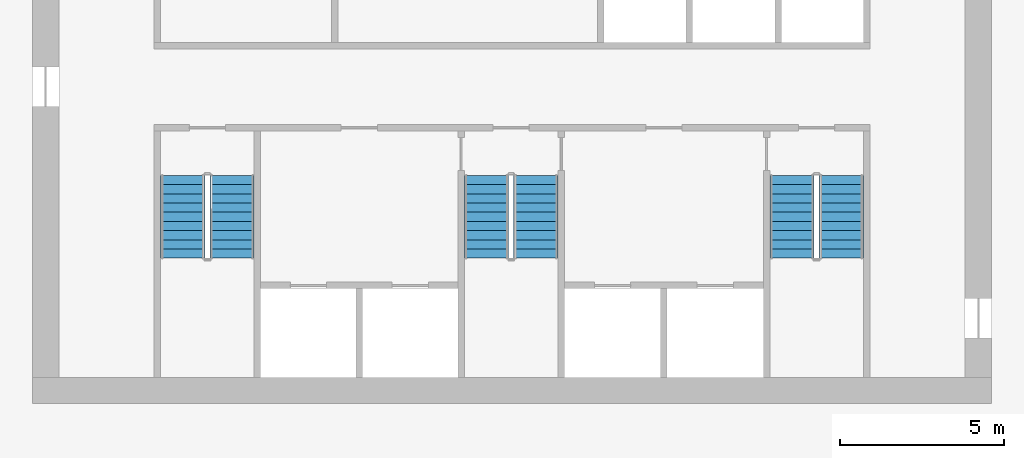
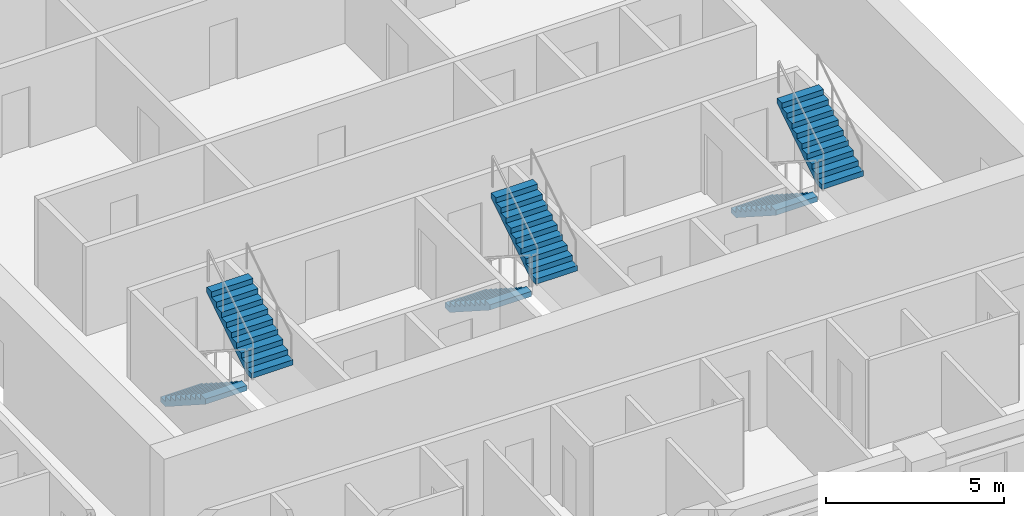
# One storey, part 12 of 16: 6 stair flights, 3 elements without a shape of their own.
"""IFC4 building model written with IfcOpenShell, lengths in metres."""

from ifc_helpers import new_model, si_unit, direction, frame, origin, place, context, subcontext, project, spatial, polyline, outline, extrude, material, type_object, element, aggregate, save


model = new_model("IFC4")

# Units and contexts
model_context = context("Model", 3, precision=1e-05, world=origin(), true_north=direction((0.0, 1.0)))
body_context = subcontext(model_context, "Body", "Model", "MODEL_VIEW")
ifc_project = project(units=[si_unit("LENGTHUNIT", "METRE"), si_unit("AREAUNIT", "SQUARE_METRE"), si_unit("VOLUMEUNIT", "CUBIC_METRE"), si_unit("PLANEANGLEUNIT", "RADIAN"), si_unit("MASSUNIT", "GRAM", prefix="KILO")], contexts=[model_context])

# Site, building, storey
site_placement = place(None, origin())
site = spatial("IfcSite", under=ifc_project, at=site_placement, CompositionType="ELEMENT")
building_placement = place(site_placement, origin())
building = spatial("IfcBuilding", under=site, at=building_placement, Name="Mangrove Gate Tower", CompositionType="ELEMENT")
storey_placement = place(building_placement, frame((0.0, 0.0, 212.300048828125)))
storey = spatial("IfcBuildingStorey", under=building, at=storey_placement, Name="L54", CompositionType="ELEMENT", Elevation=212.300048828125)

# Stair, stair flights
ifc_material_1 = material(Name="Concrete C40/50", Category="concrete")
stair_type = type_object("IfcStairType", Name="Core stair 1350", PredefinedType="HALF_TURN_STAIR", material=ifc_material_1)
stair_1_placement = place(storey_placement, origin())
stair_1 = element("IfcStair", 1, at=stair_1_placement, inside=storey, type_object=stair_type, Name="L54 Stair 1", PredefinedType="HALF_TURN_STAIR")
ifc_material_2 = material(Name="Concrete C40/50", Category="concrete")
stair_flight_type = type_object("IfcStairFlightType", Name="Core stair flight 1350", PredefinedType="STRAIGHT", material=ifc_material_2)
stair_flight_1_placement = place(storey_placement, frame((-10.02490234375, -4.64990234375, 0.0), z_axis=(0.0, 0.0, 1.0), x_axis=(0.0, -1.0, 0.0)))
stair_flight_1 = element("IfcStairFlight", 2, at=stair_flight_1_placement, type_object=stair_flight_type, Name="ST1 flight 1", NumberOfRisers=10, NumberOfTreads=9, PredefinedType="STRAIGHT", RiserHeight=0.18, TreadLength=0.28, context=body_context, shape_type="SweptSolid", body=[
    extrude(outline(polyline([(0.0, 0.0), (0.0, 0.179931640625), (0.280029296875, 0.179931640625), (0.280029296875, 0.360107421875), (0.56005859375, 0.360107421875), (0.56005859375, 0.5400390625), (0.840087890625, 0.5400390625), (0.840087890625, 0.719970703125), (1.1201171875, 0.719970703125), (1.1201171875, 0.89990234375), (1.39990234375, 0.89990234375), (1.39990234375, 1.080078125), (1.679931640625, 1.080078125), (1.679931640625, 1.260009765625), (1.9599609375, 1.260009765625), (1.9599609375, 1.43994140625), (2.239990234375, 1.43994140625), (2.239990234375, 1.6201171875), (2.52001953125, 1.6201171875), (2.52001953125, 1.800048828125), (2.52001953125, 1.44189453125), (0.277099609375, 0.0), (0.0, 0.0)])), frame((0.0, 0.675048828125, 0.0), z_axis=(0.0, -1.0, 0.0), x_axis=(1.0, 0.0, 0.0)), (0.0, 0.0, 1.0), 1.35009765625),
])
stair_flight_2_placement = place(storey_placement, frame((-8.52490234375, -7.169921875, 1.800048828125), z_axis=(0.0, 0.0, 1.0), x_axis=(0.0, 1.0, 0.0)))
stair_flight_2 = element("IfcStairFlight", 3, at=stair_flight_2_placement, type_object=stair_flight_type, Name="ST1 flight 2", NumberOfRisers=10, NumberOfTreads=9, PredefinedType="STRAIGHT", RiserHeight=0.18, TreadLength=0.28, context=body_context, shape_type="SweptSolid", body=[
    extrude(outline(polyline([(0.0, 0.0), (0.0, 0.179931640625), (0.280029296875, 0.179931640625), (0.280029296875, 0.360107421875), (0.56005859375, 0.360107421875), (0.56005859375, 0.5400390625), (0.840087890625, 0.5400390625), (0.840087890625, 0.719970703125), (1.1201171875, 0.719970703125), (1.1201171875, 0.89990234375), (1.39990234375, 0.89990234375), (1.39990234375, 1.080078125), (1.679931640625, 1.080078125), (1.679931640625, 1.260009765625), (1.9599609375, 1.260009765625), (1.9599609375, 1.43994140625), (2.239990234375, 1.43994140625), (2.239990234375, 1.6201171875), (2.52001953125, 1.6201171875), (2.52001953125, 1.800048828125), (2.52001953125, 1.44189453125), (0.277099609375, 0.0), (0.0, 0.0)])), frame((0.0, 0.675048828125, 0.0), z_axis=(0.0, -1.0, 0.0), x_axis=(1.0, 0.0, 0.0)), (0.0, 0.0, 1.0), 1.35009765625),
])
aggregate(stair_1, [stair_flight_1, stair_flight_2])

stair_2_placement = place(storey_placement, origin())
stair_2 = element("IfcStair", 4, at=stair_2_placement, inside=storey, type_object=stair_type, Name="L54 Stair 2", PredefinedType="HALF_TURN_STAIR")
stair_flight_3_placement = place(storey_placement, frame((-0.77490234375, -4.64990234375, 0.0), z_axis=(0.0, 0.0, 1.0), x_axis=(0.0, -1.0, 0.0)))
stair_flight_3 = element("IfcStairFlight", 5, at=stair_flight_3_placement, type_object=stair_flight_type, Name="ST2 flight 1", NumberOfRisers=10, NumberOfTreads=9, PredefinedType="STRAIGHT", RiserHeight=0.18, TreadLength=0.28, context=body_context, shape_type="SweptSolid", body=[
    extrude(outline(polyline([(0.0, 0.0), (0.0, 0.179931640625), (0.280029296875, 0.179931640625), (0.280029296875, 0.360107421875), (0.56005859375, 0.360107421875), (0.56005859375, 0.5400390625), (0.840087890625, 0.5400390625), (0.840087890625, 0.719970703125), (1.1201171875, 0.719970703125), (1.1201171875, 0.89990234375), (1.39990234375, 0.89990234375), (1.39990234375, 1.080078125), (1.679931640625, 1.080078125), (1.679931640625, 1.260009765625), (1.9599609375, 1.260009765625), (1.9599609375, 1.43994140625), (2.239990234375, 1.43994140625), (2.239990234375, 1.6201171875), (2.52001953125, 1.6201171875), (2.52001953125, 1.800048828125), (2.52001953125, 1.44189453125), (0.277099609375, 0.0), (0.0, 0.0)])), frame((0.0, 0.675048828125, 0.0), z_axis=(0.0, -1.0, 0.0), x_axis=(1.0, 0.0, 0.0)), (0.0, 0.0, 1.0), 1.35009765625),
])
stair_flight_4_placement = place(storey_placement, frame((0.72509765625, -7.169921875, 1.800048828125), z_axis=(0.0, 0.0, 1.0), x_axis=(0.0, 1.0, 0.0)))
stair_flight_4 = element("IfcStairFlight", 6, at=stair_flight_4_placement, type_object=stair_flight_type, Name="ST2 flight 2", NumberOfRisers=10, NumberOfTreads=9, PredefinedType="STRAIGHT", RiserHeight=0.18, TreadLength=0.28, context=body_context, shape_type="SweptSolid", body=[
    extrude(outline(polyline([(0.0, 0.0), (0.0, 0.179931640625), (0.280029296875, 0.179931640625), (0.280029296875, 0.360107421875), (0.56005859375, 0.360107421875), (0.56005859375, 0.5400390625), (0.840087890625, 0.5400390625), (0.840087890625, 0.719970703125), (1.1201171875, 0.719970703125), (1.1201171875, 0.89990234375), (1.39990234375, 0.89990234375), (1.39990234375, 1.080078125), (1.679931640625, 1.080078125), (1.679931640625, 1.260009765625), (1.9599609375, 1.260009765625), (1.9599609375, 1.43994140625), (2.239990234375, 1.43994140625), (2.239990234375, 1.6201171875), (2.52001953125, 1.6201171875), (2.52001953125, 1.800048828125), (2.52001953125, 1.44189453125), (0.277099609375, 0.0), (0.0, 0.0)])), frame((0.0, 0.675048828125, 0.0), z_axis=(0.0, -1.0, 0.0), x_axis=(1.0, 0.0, 0.0)), (0.0, 0.0, 1.0), 1.35009765625),
])
aggregate(stair_2, [stair_flight_3, stair_flight_4])

stair_3_placement = place(storey_placement, origin())
stair_3 = element("IfcStair", 7, at=stair_3_placement, inside=storey, type_object=stair_type, Name="L54 Stair 3", PredefinedType="HALF_TURN_STAIR")
stair_flight_5_placement = place(storey_placement, frame((8.52490234375, -4.64990234375, 0.0), z_axis=(0.0, 0.0, 1.0), x_axis=(0.0, -1.0, 0.0)))
stair_flight_5 = element("IfcStairFlight", 8, at=stair_flight_5_placement, type_object=stair_flight_type, Name="ST3 flight 1", NumberOfRisers=10, NumberOfTreads=9, PredefinedType="STRAIGHT", RiserHeight=0.18, TreadLength=0.28, context=body_context, shape_type="SweptSolid", body=[
    extrude(outline(polyline([(0.0, 0.0), (0.0, 0.179931640625), (0.280029296875, 0.179931640625), (0.280029296875, 0.360107421875), (0.56005859375, 0.360107421875), (0.56005859375, 0.5400390625), (0.840087890625, 0.5400390625), (0.840087890625, 0.719970703125), (1.1201171875, 0.719970703125), (1.1201171875, 0.89990234375), (1.39990234375, 0.89990234375), (1.39990234375, 1.080078125), (1.679931640625, 1.080078125), (1.679931640625, 1.260009765625), (1.9599609375, 1.260009765625), (1.9599609375, 1.43994140625), (2.239990234375, 1.43994140625), (2.239990234375, 1.6201171875), (2.52001953125, 1.6201171875), (2.52001953125, 1.800048828125), (2.52001953125, 1.44189453125), (0.277099609375, 0.0), (0.0, 0.0)])), frame((0.0, 0.675048828125, 0.0), z_axis=(0.0, -1.0, 0.0), x_axis=(1.0, 0.0, 0.0)), (0.0, 0.0, 1.0), 1.35009765625),
])
stair_flight_6_placement = place(storey_placement, frame((10.02490234375, -7.169921875, 1.800048828125), z_axis=(0.0, 0.0, 1.0), x_axis=(0.0, 1.0, 0.0)))
stair_flight_6 = element("IfcStairFlight", 9, at=stair_flight_6_placement, type_object=stair_flight_type, Name="ST3 flight 2", NumberOfRisers=10, NumberOfTreads=9, PredefinedType="STRAIGHT", RiserHeight=0.18, TreadLength=0.28, context=body_context, shape_type="SweptSolid", body=[
    extrude(outline(polyline([(0.0, 0.0), (0.0, 0.179931640625), (0.280029296875, 0.179931640625), (0.280029296875, 0.360107421875), (0.56005859375, 0.360107421875), (0.56005859375, 0.5400390625), (0.840087890625, 0.5400390625), (0.840087890625, 0.719970703125), (1.1201171875, 0.719970703125), (1.1201171875, 0.89990234375), (1.39990234375, 0.89990234375), (1.39990234375, 1.080078125), (1.679931640625, 1.080078125), (1.679931640625, 1.260009765625), (1.9599609375, 1.260009765625), (1.9599609375, 1.43994140625), (2.239990234375, 1.43994140625), (2.239990234375, 1.6201171875), (2.52001953125, 1.6201171875), (2.52001953125, 1.800048828125), (2.52001953125, 1.44189453125), (0.277099609375, 0.0), (0.0, 0.0)])), frame((0.0, 0.675048828125, 0.0), z_axis=(0.0, -1.0, 0.0), x_axis=(1.0, 0.0, 0.0)), (0.0, 0.0, 1.0), 1.35009765625),
])
aggregate(stair_3, [stair_flight_5, stair_flight_6])

save(model, "model.ifc")
